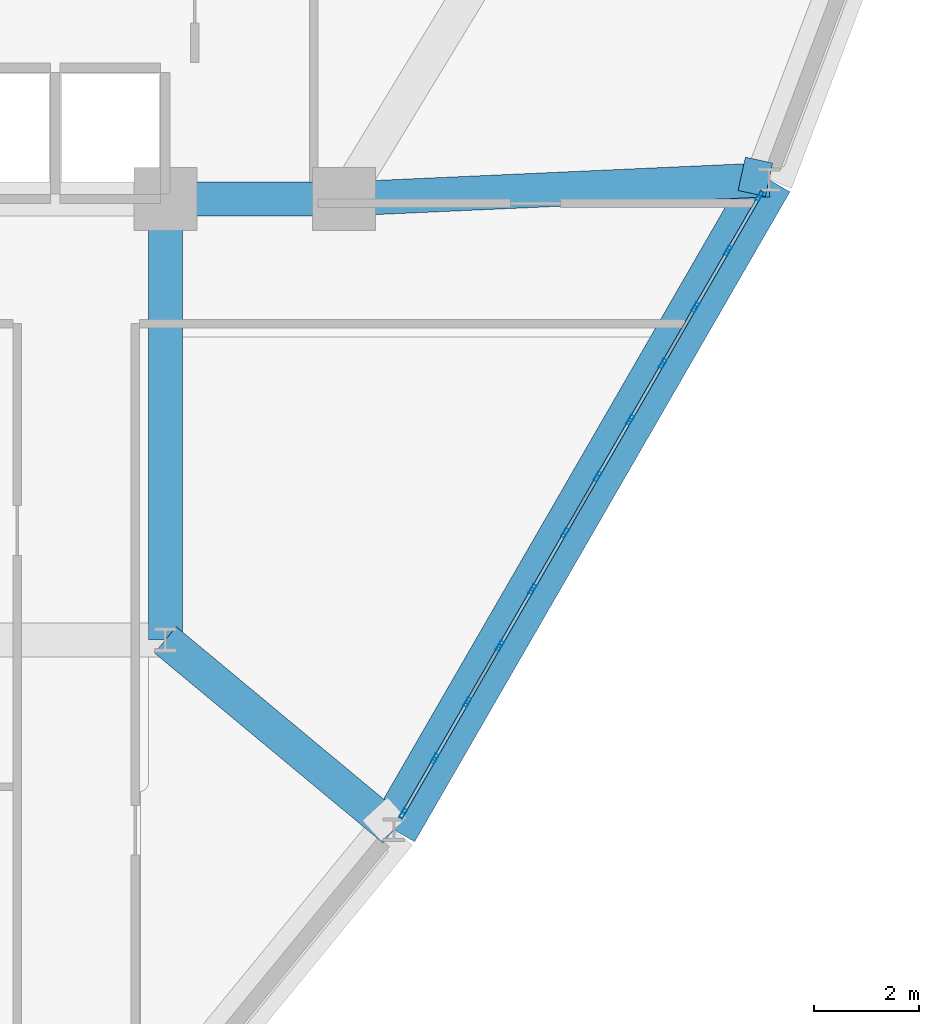
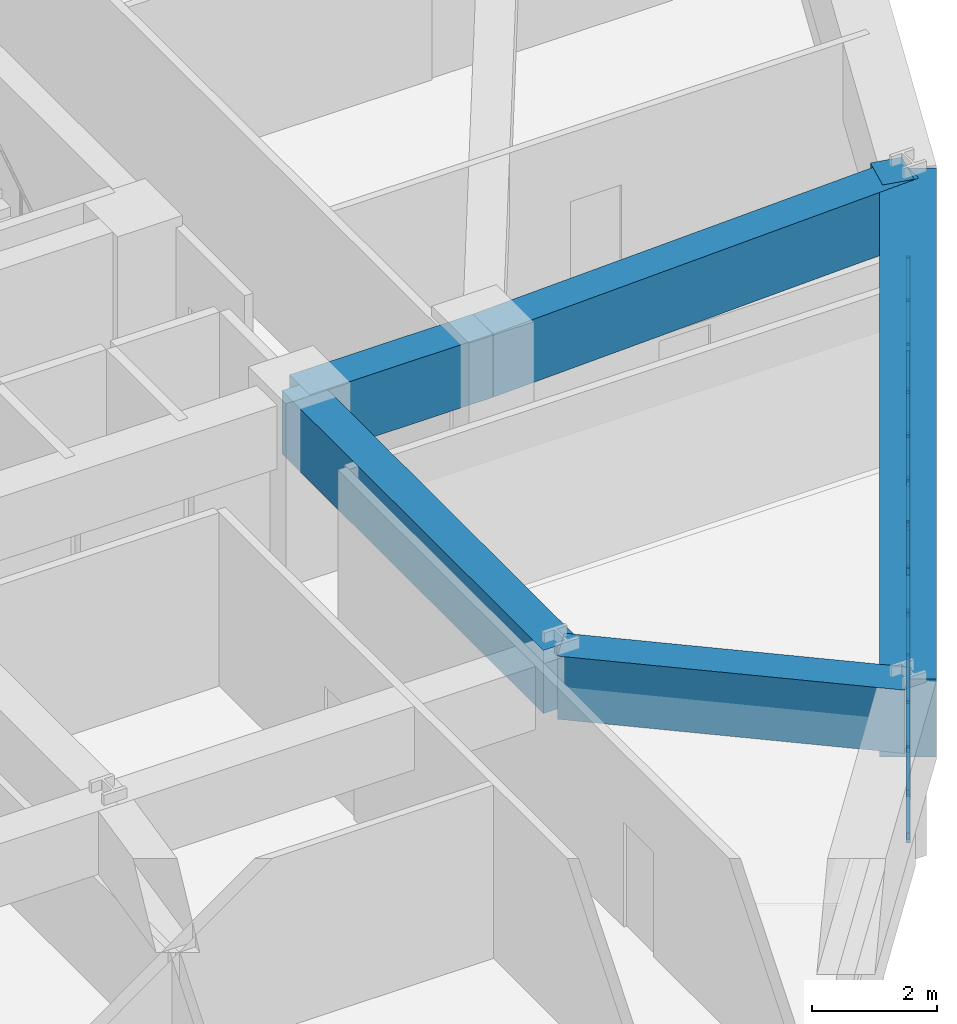
# One storey, part 6 of 16: 37 members, 6 beams, 1 element without a shape of its own.
"""IFC4 building model written with IfcOpenShell, lengths in metres."""

from ifc_helpers import new_model, si_unit, derived_unit, direction, frame, origin, origin_2d, place, context, subcontext, project, spatial, rectangle, hollow_rectangle, extrude, source, transform, mapped, material, layer, layer_set, material_profile, profile_set, type_object, element, aggregate, save


model = new_model("IFC4")

# Units and contexts
model_context = context("Model", 3, precision=1e-05, world=origin(), true_north=direction((0.0, 1.0)))
body_context = subcontext(model_context, "Body", "Model", "MODEL_VIEW")
ifc_project = project(units=[si_unit("LENGTHUNIT", "METRE"), si_unit("AREAUNIT", "SQUARE_METRE"), si_unit("VOLUMEUNIT", "CUBIC_METRE"), si_unit("PLANEANGLEUNIT", "RADIAN"), si_unit("MASSUNIT", "GRAM", prefix="KILO"), derived_unit("THERMALTRANSMITTANCEUNIT", [(si_unit("POWERUNIT", "WATT"), 1), (si_unit("LENGTHUNIT", "METRE"), -2), (si_unit("THERMODYNAMICTEMPERATUREUNIT", "KELVIN"), -1)])], contexts=[model_context])

# Site, building, storey
site_placement = place(None, origin())
site = spatial("IfcSite", under=ifc_project, at=site_placement, CompositionType="ELEMENT")
building_placement = place(site_placement, origin())
building = spatial("IfcBuilding", under=site, at=building_placement, Name="Korsvarv Bourse and Concert Hall", CompositionType="ELEMENT")
storey_placement = place(building_placement, frame((0.0, 0.0, 106.199951171875)))
storey = spatial("IfcBuildingStorey", under=building, at=storey_placement, Name="L26", CompositionType="ELEMENT", Elevation=106.199951171875)

# Beams
ifc_material_1 = material(Name="Concrete C50/60", Category="concrete")
ifc_material_profile_1 = material_profile(ifc_material_1, rectangle(XDim=0.64990234375, YDim=1.239990234375, at=origin_2d()), Name="RC-BM 650x1240")
ifc_profile_set_1 = profile_set([ifc_material_profile_1], Name="Concrete C50/60")
beam_type_1 = type_object("IfcBeamType", Name="BM-TR-SPN", PredefinedType="BEAM", material=ifc_profile_set_1)
shared_shape_1 = source(origin(), body_context, "Body", "SweptSolid", [
    extrude(rectangle(XDim=0.64990234375, YDim=1.239990234375, at=origin_2d()), origin(), (0.0, 0.0, 1.0), 3.400146484375),
])
beam_1_placement = place(storey_placement, frame((44.39990234375, 32.39990234375, 2.780029296875), z_axis=(1.0, 0.0, 0.0), x_axis=(0.0, 1.0, 0.0)))
element("IfcBeam", 1, at=beam_1_placement, inside=storey, type_object=beam_type_1, Name="L26 beam B-TRS", PredefinedType="BEAM", context=body_context, shape_type="MappedRepresentation", body=[
    mapped(shared_shape_1, transform((0.0, 0.0, 0.0), scale=1.0)),
])
shared_shape_2 = source(origin(), body_context, "Body", "SweptSolid", [
    extrude(rectangle(XDim=0.64990234375, YDim=1.239990234375, at=origin_2d()), origin(), (0.0, 0.0, 1.0), 8.39990234375),
])
beam_2_placement = place(storey_placement, frame((44.39990234375, 24.0, 2.780029296875), z_axis=(0.0, 1.0, 0.0), x_axis=(-1.0, 0.0, 0.0)))
element("IfcBeam", 2, at=beam_2_placement, inside=storey, type_object=beam_type_1, Name="L26 beam B-TRS", PredefinedType="BEAM", context=body_context, shape_type="MappedRepresentation", body=[
    mapped(shared_shape_2, transform((0.0, 0.0, 0.0), scale=1.0)),
])
ifc_material_profile_2 = material_profile(ifc_material_1, rectangle(XDim=0.919921875, YDim=1.530029296875, at=origin_2d()), Name="RC-BM 920x1530")
ifc_profile_set_2 = profile_set([ifc_material_profile_2], Name="Concrete C50/60")
beam_type_2 = type_object("IfcBeamType", Name="BM-TR-154", PredefinedType="BEAM", material=ifc_profile_set_2)
shared_shape_3 = source(origin(), body_context, "Body", "SweptSolid", [
    extrude(rectangle(XDim=0.919921875, YDim=1.530029296875, at=origin_2d()), origin(), (0.0, 0.0, 1.0), 14.298828125),
])
beam_3_placement = place(storey_placement, frame((48.751220703125, 20.3828125, 2.635009765625), z_axis=(0.500002778788, 0.866023799444, 0.0), x_axis=(-0.866023799444, 0.500002778788, 0.0)))
element("IfcBeam", 3, at=beam_3_placement, inside=storey, type_object=beam_type_2, Name="L26 beam B-TR6", PredefinedType="BEAM", context=body_context, shape_type="MappedRepresentation", body=[
    mapped(shared_shape_3, transform((0.0, 0.0, 0.0), scale=1.0)),
])
shared_shape_4 = source(origin(), body_context, "Body", "SweptSolid", [
    extrude(rectangle(XDim=0.64990234375, YDim=1.239990234375, at=origin_2d()), origin(), (0.0, 0.0, 1.0), 8.10888671875),
])
beam_4_placement = place(storey_placement, frame((55.900634765625, 32.765869140625, 2.780029296875), z_axis=(-0.998981041914, -0.04513178366, 0.0), x_axis=(0.04513178366, -0.998981041914, 0.0)))
element("IfcBeam", 4, at=beam_4_placement, inside=storey, type_object=beam_type_1, Name="L26 beam B-TRS", PredefinedType="BEAM", context=body_context, shape_type="MappedRepresentation", body=[
    mapped(shared_shape_4, transform((0.0, 0.0, 0.0), scale=1.0)),
])
shared_shape_5 = source(origin(), body_context, "Body", "SweptSolid", [
    extrude(rectangle(XDim=0.64990234375, YDim=1.239990234375, at=origin_2d()), origin(), (0.0, 0.0, 1.0), 5.658447265625),
])
beam_5_placement = place(storey_placement, frame((48.751220703125, 20.3828125, 2.780029296875), z_axis=(-0.768995227549, 0.639254518957, 0.0), x_axis=(-0.639254518957, -0.768995227549, 0.0)))
element("IfcBeam", 5, at=beam_5_placement, inside=storey, type_object=beam_type_1, Name="L26 beam B-TRS", PredefinedType="BEAM", context=body_context, shape_type="MappedRepresentation", body=[
    mapped(shared_shape_5, transform((0.0, 0.0, 0.0), scale=1.0)),
])
shared_shape_6 = source(origin(), body_context, "Body", "SweptSolid", [
    extrude(rectangle(XDim=0.64990234375, YDim=1.239990234375, at=origin_2d()), origin(), (0.0, 0.0, 1.0), 0.531982421875),
])
beam_6_placement = place(storey_placement, frame((55.900634765625, 32.765869140625, 2.780029296875), z_axis=(-0.976968821008, 0.213382105105, 0.0), x_axis=(-0.213382105105, -0.976968821008, 0.0)))
element("IfcBeam", 6, at=beam_6_placement, inside=storey, type_object=beam_type_1, Name="L26 beam B-TRS", PredefinedType="BEAM", context=body_context, shape_type="MappedRepresentation", body=[
    mapped(shared_shape_6, transform((0.0, 0.0, 0.0), scale=1.0)),
])

# Curtain wall, members
ifc_material_2 = material(Name="Anodised aluminium and triple low-E glazing", Category="glass")
ifc_layer = layer(ifc_material_2, 0.2099609375)
ifc_layer_set = layer_set([ifc_layer], Name="Anodised aluminium and triple low-E glazing")
curtain_wall_type = type_object("IfcCurtainWallType", Name="CW-SYS-2", PredefinedType="NOTDEFINED", material=ifc_layer_set)
curtain_wall_placement = place(storey_placement, origin())
curtain_wall = element("IfcCurtainWall", 7, at=curtain_wall_placement, inside=storey, type_object=curtain_wall_type, Name="L26 CW2 curtain wall CW-L26-F11", PredefinedType="NOTDEFINED")
ifc_material_3 = material(Name="Extruded aluminium EN AW-6063 T66", Category="aluminium")
ifc_material_profile_3 = material_profile(ifc_material_3, hollow_rectangle(XDim=0.070068359375, YDim=0.18994140625, WallThickness=0.0048828125, at=origin_2d()), Name="ALU-M 70x190")
ifc_profile_set_3 = profile_set([ifc_material_profile_3], Name="Extruded aluminium EN AW-6063 T66")
member_type_1 = type_object("IfcMemberType", Name="CWM-190", PredefinedType="MULLION", material=ifc_profile_set_3)
shared_shape_7 = source(origin(), body_context, "Body", "SweptSolid", [
    extrude(hollow_rectangle(XDim=0.070068359375, YDim=0.18994140625, WallThickness=0.0048828125, at=origin_2d()), origin(), (0.0, 0.0, 1.0), 1.8701171875),
])
member_1_placement = place(storey_placement, frame((48.928955078125, 20.6904296875, 0.0), z_axis=(0.0, 0.0, 1.0), x_axis=(-0.866024031595, 0.500002376695, 0.0)))
member_1 = element("IfcMember", 8, at=member_1_placement, type_object=member_type_1, Name="CW2 mullion 1", PredefinedType="MULLION", context=body_context, shape_type="MappedRepresentation", body=[
    mapped(shared_shape_7, transform((0.0, 0.0, 0.0), scale=1.0)),
])
member_2_placement = place(storey_placement, frame((49.5322265625, 21.735595703125, 0.0), z_axis=(0.0, 0.0, 1.0), x_axis=(-0.866024031595, 0.500002376695, 0.0)))
member_2 = element("IfcMember", 9, at=member_2_placement, type_object=member_type_1, Name="CW2 mullion 2", PredefinedType="MULLION", context=body_context, shape_type="MappedRepresentation", body=[
    mapped(shared_shape_7, transform((0.0, 0.0, 0.0), scale=1.0)),
])
member_3_placement = place(storey_placement, frame((50.153076171875, 22.810791015625, 0.0), z_axis=(0.0, 0.0, 1.0), x_axis=(-0.866024031595, 0.500002376695, 0.0)))
member_3 = element("IfcMember", 10, at=member_3_placement, type_object=member_type_1, Name="CW2 mullion 3", PredefinedType="MULLION", context=body_context, shape_type="MappedRepresentation", body=[
    mapped(shared_shape_7, transform((0.0, 0.0, 0.0), scale=1.0)),
])
member_4_placement = place(storey_placement, frame((50.77392578125, 23.885986328125, 0.0), z_axis=(0.0, 0.0, 1.0), x_axis=(-0.866024031595, 0.500002376695, 0.0)))
member_4 = element("IfcMember", 11, at=member_4_placement, type_object=member_type_1, Name="CW2 mullion 4", PredefinedType="MULLION", context=body_context, shape_type="MappedRepresentation", body=[
    mapped(shared_shape_7, transform((0.0, 0.0, 0.0), scale=1.0)),
])
member_5_placement = place(storey_placement, frame((51.394775390625, 24.96142578125, 0.0), z_axis=(0.0, 0.0, 1.0), x_axis=(-0.866024031595, 0.500002376695, 0.0)))
member_5 = element("IfcMember", 12, at=member_5_placement, type_object=member_type_1, Name="CW2 mullion 5", PredefinedType="MULLION", context=body_context, shape_type="MappedRepresentation", body=[
    mapped(shared_shape_7, transform((0.0, 0.0, 0.0), scale=1.0)),
])
member_6_placement = place(storey_placement, frame((52.015380859375, 26.03662109375, 0.0), z_axis=(0.0, 0.0, 1.0), x_axis=(-0.866024031595, 0.500002376695, 0.0)))
member_6 = element("IfcMember", 13, at=member_6_placement, type_object=member_type_1, Name="CW2 mullion 6", PredefinedType="MULLION", context=body_context, shape_type="MappedRepresentation", body=[
    mapped(shared_shape_7, transform((0.0, 0.0, 0.0), scale=1.0)),
])
member_7_placement = place(storey_placement, frame((52.63623046875, 27.11181640625, 0.0), z_axis=(0.0, 0.0, 1.0), x_axis=(-0.866024031595, 0.500002376695, 0.0)))
member_7 = element("IfcMember", 14, at=member_7_placement, type_object=member_type_1, Name="CW2 mullion 7", PredefinedType="MULLION", context=body_context, shape_type="MappedRepresentation", body=[
    mapped(shared_shape_7, transform((0.0, 0.0, 0.0), scale=1.0)),
])
member_8_placement = place(storey_placement, frame((53.257080078125, 28.187255859375, 0.0), z_axis=(0.0, 0.0, 1.0), x_axis=(-0.866024031595, 0.500002376695, 0.0)))
member_8 = element("IfcMember", 15, at=member_8_placement, type_object=member_type_1, Name="CW2 mullion 8", PredefinedType="MULLION", context=body_context, shape_type="MappedRepresentation", body=[
    mapped(shared_shape_7, transform((0.0, 0.0, 0.0), scale=1.0)),
])
member_9_placement = place(storey_placement, frame((53.8779296875, 29.262451171875, 0.0), z_axis=(0.0, 0.0, 1.0), x_axis=(-0.866024031595, 0.500002376695, 0.0)))
member_9 = element("IfcMember", 16, at=member_9_placement, type_object=member_type_1, Name="CW2 mullion 9", PredefinedType="MULLION", context=body_context, shape_type="MappedRepresentation", body=[
    mapped(shared_shape_7, transform((0.0, 0.0, 0.0), scale=1.0)),
])
member_10_placement = place(storey_placement, frame((54.498779296875, 30.337646484375, 0.0), z_axis=(0.0, 0.0, 1.0), x_axis=(-0.866024031595, 0.500002376695, 0.0)))
member_10 = element("IfcMember", 17, at=member_10_placement, type_object=member_type_1, Name="CW2 mullion 10", PredefinedType="MULLION", context=body_context, shape_type="MappedRepresentation", body=[
    mapped(shared_shape_7, transform((0.0, 0.0, 0.0), scale=1.0)),
])
member_11_placement = place(storey_placement, frame((55.11962890625, 31.4130859375, 0.0), z_axis=(0.0, 0.0, 1.0), x_axis=(-0.866024031595, 0.500002376695, 0.0)))
member_11 = element("IfcMember", 18, at=member_11_placement, type_object=member_type_1, Name="CW2 mullion 11", PredefinedType="MULLION", context=body_context, shape_type="MappedRepresentation", body=[
    mapped(shared_shape_7, transform((0.0, 0.0, 0.0), scale=1.0)),
])
member_12_placement = place(storey_placement, frame((55.722900390625, 32.4580078125, 0.0), z_axis=(0.0, 0.0, 1.0), x_axis=(-0.866024031595, 0.500002376695, 0.0)))
member_12 = element("IfcMember", 19, at=member_12_placement, type_object=member_type_1, Name="CW2 mullion 12", PredefinedType="MULLION", context=body_context, shape_type="MappedRepresentation", body=[
    mapped(shared_shape_7, transform((0.0, 0.0, 0.0), scale=1.0)),
])
ifc_material_profile_4 = material_profile(ifc_material_3, hollow_rectangle(XDim=0.06494140625, YDim=0.139892578125, WallThickness=0.00390625, at=origin_2d()), Name="ALU-T 65x140")
ifc_profile_set_4 = profile_set([ifc_material_profile_4], Name="Extruded aluminium EN AW-6063 T66")
member_type_2 = type_object("IfcMemberType", Name="CWT-140", PredefinedType="USERDEFINED", material=ifc_profile_set_4)
shared_shape_8 = source(origin(), body_context, "Body", "SweptSolid", [
    extrude(hollow_rectangle(XDim=0.06494140625, YDim=0.139892578125, WallThickness=0.00390625, at=origin_2d()), origin(), (0.0, 0.0, 1.0), 1.13671875),
])
member_13_placement = place(storey_placement, frame((48.9462890625, 20.720703125, 0.032470703125), z_axis=(0.50001992892, 0.866013897511, 0.0), x_axis=(-0.866013897511, 0.50001992892, 0.0)))
member_13 = element("IfcMember", 20, at=member_13_placement, type_object=member_type_2, Name="CW2 transom 1.1", ObjectType="TRANSOM", PredefinedType="USERDEFINED", context=body_context, shape_type="MappedRepresentation", body=[
    mapped(shared_shape_8, transform((0.0, 0.0, 0.0), scale=1.0)),
])
member_14_placement = place(storey_placement, frame((48.9462890625, 20.720703125, 1.837646484375), z_axis=(0.50001992892, 0.866013897511, 0.0), x_axis=(-0.866013897511, 0.50001992892, 0.0)))
member_14 = element("IfcMember", 21, at=member_14_placement, type_object=member_type_2, Name="CW2 transom 1.2", ObjectType="TRANSOM", PredefinedType="USERDEFINED", context=body_context, shape_type="MappedRepresentation", body=[
    mapped(shared_shape_8, transform((0.0, 0.0, 0.0), scale=1.0)),
])
member_15_placement = place(storey_placement, frame((55.136962890625, 31.443359375, 0.032470703125), z_axis=(0.50001992892, 0.866013897511, 0.0), x_axis=(-0.866013897511, 0.50001992892, 0.0)))
member_15 = element("IfcMember", 22, at=member_15_placement, type_object=member_type_2, Name="CW2 transom 11.1", ObjectType="TRANSOM", PredefinedType="USERDEFINED", context=body_context, shape_type="MappedRepresentation", body=[
    mapped(shared_shape_8, transform((0.0, 0.0, 0.0), scale=1.0)),
])
member_16_placement = place(storey_placement, frame((55.136962890625, 31.443359375, 1.837646484375), z_axis=(0.50001992892, 0.866013897511, 0.0), x_axis=(-0.866013897511, 0.50001992892, 0.0)))
member_16 = element("IfcMember", 23, at=member_16_placement, type_object=member_type_2, Name="CW2 transom 11.2", ObjectType="TRANSOM", PredefinedType="USERDEFINED", context=body_context, shape_type="MappedRepresentation", body=[
    mapped(shared_shape_8, transform((0.0, 0.0, 0.0), scale=1.0)),
])
shared_shape_9 = source(origin(), body_context, "Body", "SweptSolid", [
    extrude(hollow_rectangle(XDim=0.06494140625, YDim=0.139892578125, WallThickness=0.00390625, at=origin_2d()), origin(), (0.0, 0.0, 1.0), 1.171630859375),
])
member_17_placement = place(storey_placement, frame((49.5498046875, 21.765869140625, 0.032470703125), z_axis=(0.49992689739, 0.866067605482, 0.0), x_axis=(-0.866067605482, 0.49992689739, 0.0)))
member_17 = element("IfcMember", 24, at=member_17_placement, type_object=member_type_2, Name="CW2 transom 2.1", ObjectType="TRANSOM", PredefinedType="USERDEFINED", context=body_context, shape_type="MappedRepresentation", body=[
    mapped(shared_shape_9, transform((0.0, 0.0, 0.0), scale=1.0)),
])
member_18_placement = place(storey_placement, frame((49.5498046875, 21.765869140625, 1.837646484375), z_axis=(0.49992689739, 0.866067605482, 0.0), x_axis=(-0.866067605482, 0.49992689739, 0.0)))
member_18 = element("IfcMember", 25, at=member_18_placement, type_object=member_type_2, Name="CW2 transom 2.2", ObjectType="TRANSOM", PredefinedType="USERDEFINED", context=body_context, shape_type="MappedRepresentation", body=[
    mapped(shared_shape_9, transform((0.0, 0.0, 0.0), scale=1.0)),
])
member_19_placement = place(storey_placement, frame((50.170654296875, 22.841064453125, 0.032470703125), z_axis=(0.49992689739, 0.866067605482, 0.0), x_axis=(-0.866067605482, 0.49992689739, 0.0)))
member_19 = element("IfcMember", 26, at=member_19_placement, type_object=member_type_2, Name="CW2 transom 3.1", ObjectType="TRANSOM", PredefinedType="USERDEFINED", context=body_context, shape_type="MappedRepresentation", body=[
    mapped(shared_shape_9, transform((0.0, 0.0, 0.0), scale=1.0)),
])
member_20_placement = place(storey_placement, frame((50.170654296875, 22.841064453125, 1.837646484375), z_axis=(0.49992689739, 0.866067605482, 0.0), x_axis=(-0.866067605482, 0.49992689739, 0.0)))
member_20 = element("IfcMember", 27, at=member_20_placement, type_object=member_type_2, Name="CW2 transom 3.2", ObjectType="TRANSOM", PredefinedType="USERDEFINED", context=body_context, shape_type="MappedRepresentation", body=[
    mapped(shared_shape_9, transform((0.0, 0.0, 0.0), scale=1.0)),
])
member_21_placement = place(storey_placement, frame((50.791259765625, 23.916259765625, 0.032470703125), z_axis=(0.500083180475, 0.865977374189, 0.0), x_axis=(-0.865977374189, 0.500083180475, 0.0)))
member_21 = element("IfcMember", 28, at=member_21_placement, type_object=member_type_2, Name="CW2 transom 4.1", ObjectType="TRANSOM", PredefinedType="USERDEFINED", context=body_context, shape_type="MappedRepresentation", body=[
    mapped(shared_shape_9, transform((0.0, 0.0, 0.0), scale=1.0)),
])
member_22_placement = place(storey_placement, frame((50.791259765625, 23.916259765625, 1.837646484375), z_axis=(0.500083180475, 0.865977374189, 0.0), x_axis=(-0.865977374189, 0.500083180475, 0.0)))
member_22 = element("IfcMember", 29, at=member_22_placement, type_object=member_type_2, Name="CW2 transom 4.2", ObjectType="TRANSOM", PredefinedType="USERDEFINED", context=body_context, shape_type="MappedRepresentation", body=[
    mapped(shared_shape_9, transform((0.0, 0.0, 0.0), scale=1.0)),
])
member_23_placement = place(storey_placement, frame((51.412109375, 24.99169921875, 0.032470703125), z_axis=(0.500083180475, 0.865977374189, 0.0), x_axis=(-0.865977374189, 0.500083180475, 0.0)))
member_23 = element("IfcMember", 30, at=member_23_placement, type_object=member_type_2, Name="CW2 transom 5.1", ObjectType="TRANSOM", PredefinedType="USERDEFINED", context=body_context, shape_type="MappedRepresentation", body=[
    mapped(shared_shape_9, transform((0.0, 0.0, 0.0), scale=1.0)),
])
member_24_placement = place(storey_placement, frame((51.412109375, 24.99169921875, 1.837646484375), z_axis=(0.500083180475, 0.865977374189, 0.0), x_axis=(-0.865977374189, 0.500083180475, 0.0)))
member_24 = element("IfcMember", 31, at=member_24_placement, type_object=member_type_2, Name="CW2 transom 5.2", ObjectType="TRANSOM", PredefinedType="USERDEFINED", context=body_context, shape_type="MappedRepresentation", body=[
    mapped(shared_shape_9, transform((0.0, 0.0, 0.0), scale=1.0)),
])
member_25_placement = place(storey_placement, frame((52.032958984375, 26.06689453125, 0.032470703125), z_axis=(0.500083180475, 0.865977374189, 0.0), x_axis=(-0.865977374189, 0.500083180475, 0.0)))
member_25 = element("IfcMember", 32, at=member_25_placement, type_object=member_type_2, Name="CW2 transom 6.1", ObjectType="TRANSOM", PredefinedType="USERDEFINED", context=body_context, shape_type="MappedRepresentation", body=[
    mapped(shared_shape_9, transform((0.0, 0.0, 0.0), scale=1.0)),
])
member_26_placement = place(storey_placement, frame((52.032958984375, 26.06689453125, 1.837646484375), z_axis=(0.500083180475, 0.865977374189, 0.0), x_axis=(-0.865977374189, 0.500083180475, 0.0)))
member_26 = element("IfcMember", 33, at=member_26_placement, type_object=member_type_2, Name="CW2 transom 6.2", ObjectType="TRANSOM", PredefinedType="USERDEFINED", context=body_context, shape_type="MappedRepresentation", body=[
    mapped(shared_shape_9, transform((0.0, 0.0, 0.0), scale=1.0)),
])
member_27_placement = place(storey_placement, frame((53.274658203125, 28.217529296875, 0.032470703125), z_axis=(0.49992689739, 0.866067605482, 0.0), x_axis=(-0.866067605482, 0.49992689739, 0.0)))
member_27 = element("IfcMember", 34, at=member_27_placement, type_object=member_type_2, Name="CW2 transom 8.1", ObjectType="TRANSOM", PredefinedType="USERDEFINED", context=body_context, shape_type="MappedRepresentation", body=[
    mapped(shared_shape_9, transform((0.0, 0.0, 0.0), scale=1.0)),
])
member_28_placement = place(storey_placement, frame((53.274658203125, 28.217529296875, 1.837646484375), z_axis=(0.49992689739, 0.866067605482, 0.0), x_axis=(-0.866067605482, 0.49992689739, 0.0)))
member_28 = element("IfcMember", 35, at=member_28_placement, type_object=member_type_2, Name="CW2 transom 8.2", ObjectType="TRANSOM", PredefinedType="USERDEFINED", context=body_context, shape_type="MappedRepresentation", body=[
    mapped(shared_shape_9, transform((0.0, 0.0, 0.0), scale=1.0)),
])
member_29_placement = place(storey_placement, frame((53.8955078125, 29.292724609375, 0.032470703125), z_axis=(0.49992689739, 0.866067605482, 0.0), x_axis=(-0.866067605482, 0.49992689739, 0.0)))
member_29 = element("IfcMember", 36, at=member_29_placement, type_object=member_type_2, Name="CW2 transom 9.1", ObjectType="TRANSOM", PredefinedType="USERDEFINED", context=body_context, shape_type="MappedRepresentation", body=[
    mapped(shared_shape_9, transform((0.0, 0.0, 0.0), scale=1.0)),
])
member_30_placement = place(storey_placement, frame((53.8955078125, 29.292724609375, 1.837646484375), z_axis=(0.49992689739, 0.866067605482, 0.0), x_axis=(-0.866067605482, 0.49992689739, 0.0)))
member_30 = element("IfcMember", 37, at=member_30_placement, type_object=member_type_2, Name="CW2 transom 9.2", ObjectType="TRANSOM", PredefinedType="USERDEFINED", context=body_context, shape_type="MappedRepresentation", body=[
    mapped(shared_shape_9, transform((0.0, 0.0, 0.0), scale=1.0)),
])
member_31_placement = place(storey_placement, frame((54.516357421875, 30.3681640625, 0.032470703125), z_axis=(0.49992689739, 0.866067605482, 0.0), x_axis=(-0.866067605482, 0.49992689739, 0.0)))
member_31 = element("IfcMember", 38, at=member_31_placement, type_object=member_type_2, Name="CW2 transom 10.1", ObjectType="TRANSOM", PredefinedType="USERDEFINED", context=body_context, shape_type="MappedRepresentation", body=[
    mapped(shared_shape_9, transform((0.0, 0.0, 0.0), scale=1.0)),
])
member_32_placement = place(storey_placement, frame((54.516357421875, 30.3681640625, 1.837646484375), z_axis=(0.49992689739, 0.866067605482, 0.0), x_axis=(-0.866067605482, 0.49992689739, 0.0)))
member_32 = element("IfcMember", 39, at=member_32_placement, type_object=member_type_2, Name="CW2 transom 10.2", ObjectType="TRANSOM", PredefinedType="USERDEFINED", context=body_context, shape_type="MappedRepresentation", body=[
    mapped(shared_shape_9, transform((0.0, 0.0, 0.0), scale=1.0)),
])
ifc_material_profile_5 = material_profile(ifc_material_3, hollow_rectangle(XDim=0.06494140625, YDim=0.1650390625, WallThickness=0.0048828125, at=origin_2d()), Name="ALU-M 65x165")
ifc_profile_set_5 = profile_set([ifc_material_profile_5], Name="Extruded aluminium EN AW-6063 T66")
member_type_3 = type_object("IfcMemberType", Name="CWM-165", PredefinedType="MULLION", material=ifc_profile_set_5)
shared_shape_10 = source(origin(), body_context, "Body", "SweptSolid", [
    extrude(hollow_rectangle(XDim=0.06494140625, YDim=0.1650390625, WallThickness=0.0048828125, at=origin_2d()), origin(), (0.0, 0.0, 1.0), 2.09765625),
])
member_33_placement = place(storey_placement, frame((50.170654296875, 22.841064453125, 0.06494140625), z_axis=(0.279214730722, 0.483708387195, 0.829497034537), x_axis=(-0.866067605482, 0.49992689739, 0.0)))
member_33 = element("IfcMember", 40, at=member_33_placement, type_object=member_type_3, Name="CW2 diagonal mullion 3", PredefinedType="MULLION", context=body_context, shape_type="MappedRepresentation", body=[
    mapped(shared_shape_10, transform((0.0, 0.0, 0.0), scale=1.0)),
])
member_34_placement = place(storey_placement, frame((52.618896484375, 27.08154296875, 0.06494140625), z_axis=(-0.27932203975, -0.4836926655, 0.829470073873), x_axis=(0.865977374189, -0.500083180475, 0.0)))
member_34 = element("IfcMember", 41, at=member_34_placement, type_object=member_type_3, Name="CW2 diagonal mullion 6", PredefinedType="MULLION", context=body_context, shape_type="MappedRepresentation", body=[
    mapped(shared_shape_10, transform((0.0, 0.0, 0.0), scale=1.0)),
])
member_35_placement = place(storey_placement, frame((53.8955078125, 29.292724609375, 0.06494140625), z_axis=(0.279214730722, 0.483708387195, 0.829497034537), x_axis=(-0.866067605482, 0.49992689739, 0.0)))
member_35 = element("IfcMember", 42, at=member_35_placement, type_object=member_type_3, Name="CW2 diagonal mullion 9", PredefinedType="MULLION", context=body_context, shape_type="MappedRepresentation", body=[
    mapped(shared_shape_10, transform((0.0, 0.0, 0.0), scale=1.0)),
])
shared_shape_11 = source(origin(), body_context, "Body", "SweptSolid", [
    extrude(hollow_rectangle(XDim=0.06494140625, YDim=0.139892578125, WallThickness=0.00390625, at=origin_2d()), origin(), (0.0, 0.0, 1.0), 1.171875),
])
member_36_placement = place(storey_placement, frame((52.65380859375, 27.14208984375, 0.032470703125), z_axis=(0.499992958048, 0.866029469419, 0.0), x_axis=(-0.866029469419, 0.499992958048, 0.0)))
member_36 = element("IfcMember", 43, at=member_36_placement, type_object=member_type_2, Name="CW2 transom 7.1", ObjectType="TRANSOM", PredefinedType="USERDEFINED", context=body_context, shape_type="MappedRepresentation", body=[
    mapped(shared_shape_11, transform((0.0, 0.0, 0.0), scale=1.0)),
])
member_37_placement = place(storey_placement, frame((52.65380859375, 27.14208984375, 1.837646484375), z_axis=(0.499992958048, 0.866029469419, 0.0), x_axis=(-0.866029469419, 0.499992958048, 0.0)))
member_37 = element("IfcMember", 44, at=member_37_placement, type_object=member_type_2, Name="CW2 transom 7.2", ObjectType="TRANSOM", PredefinedType="USERDEFINED", context=body_context, shape_type="MappedRepresentation", body=[
    mapped(shared_shape_11, transform((0.0, 0.0, 0.0), scale=1.0)),
])
aggregate(curtain_wall, [member_1, member_2, member_3, member_4, member_5, member_6, member_7, member_8, member_9, member_10, member_11, member_12, member_13, member_14, member_17, member_18, member_19, member_20, member_33, member_21, member_22, member_23, member_24, member_25, member_26, member_34, member_36, member_37, member_27, member_28, member_29, member_30, member_35, member_31, member_32, member_15, member_16])

save(model, "model.ifc")
